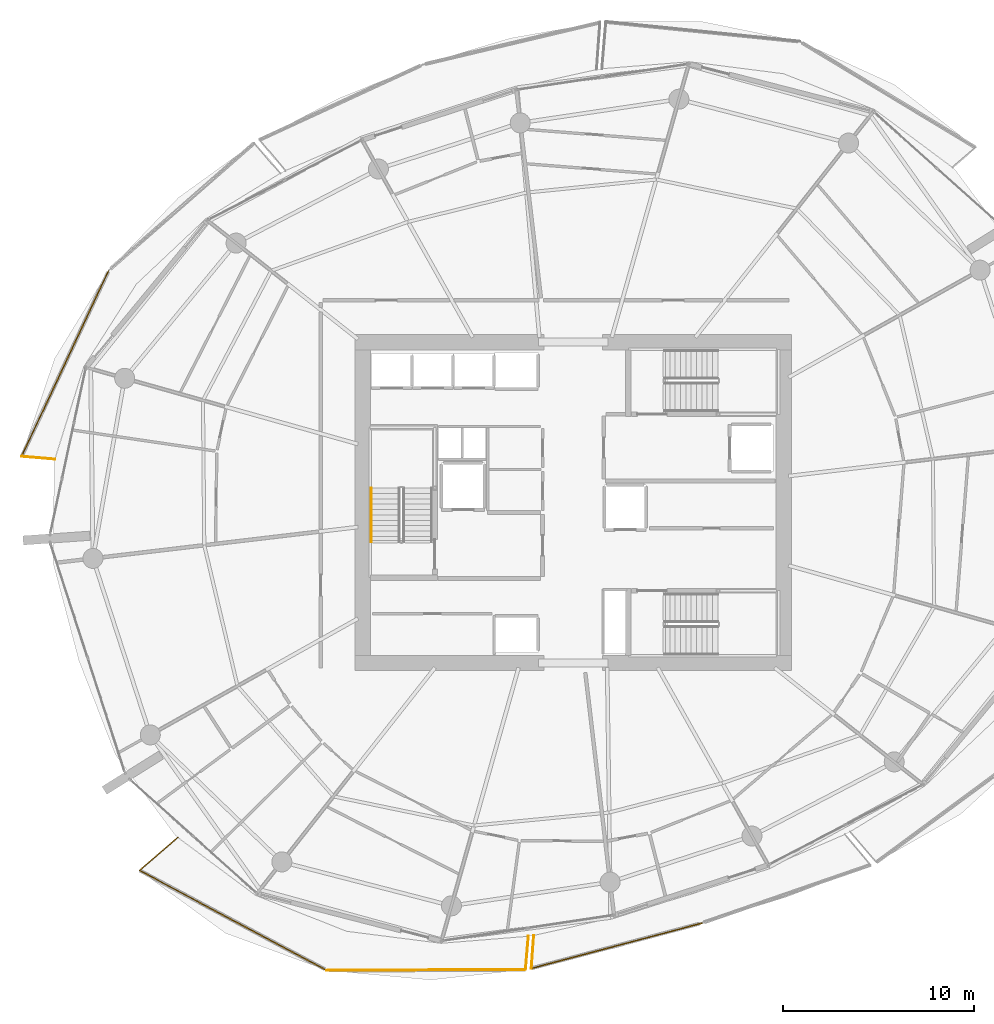
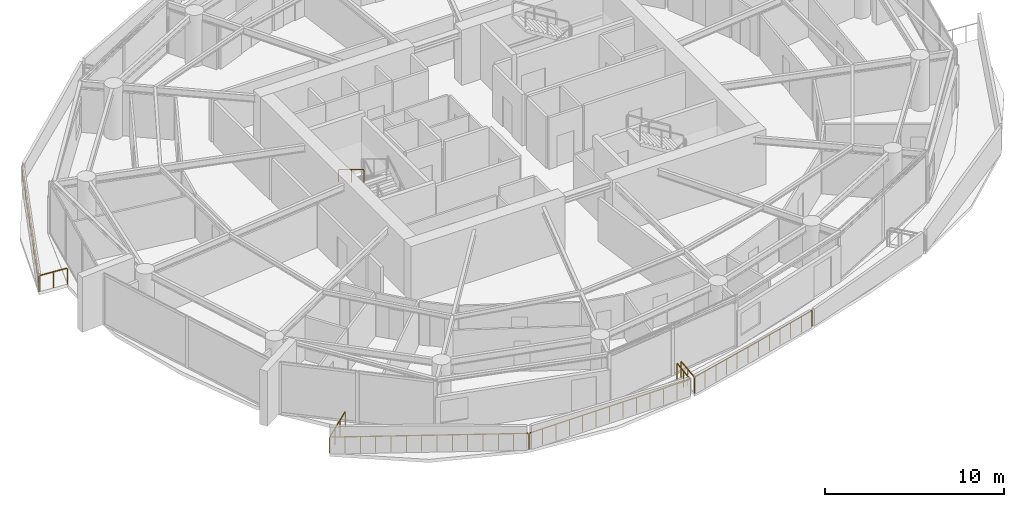
# One storey, part 16 of 20: 9 railings.
"""IFC4 building model written with IfcOpenShell, lengths in metres."""

from ifc_helpers import new_model, si_unit, direction, frame, origin, origin_2d, place, context, subcontext, project, spatial, rectangle, extrude, material, type_object, element, save


model = new_model("IFC4")

# Units and contexts
model_context = context("Model", 3, precision=1e-05, world=origin(), true_north=direction((0.0, 1.0)))
body_context = subcontext(model_context, "Body", "Model", "MODEL_VIEW")
ifc_project = project(units=[si_unit("LENGTHUNIT", "METRE"), si_unit("AREAUNIT", "SQUARE_METRE"), si_unit("VOLUMEUNIT", "CUBIC_METRE"), si_unit("PLANEANGLEUNIT", "RADIAN"), si_unit("MASSUNIT", "GRAM", prefix="KILO")], contexts=[model_context])

# Site, building, storey
site_placement = place(None, origin())
site = spatial("IfcSite", under=ifc_project, at=site_placement, CompositionType="ELEMENT")
building_placement = place(site_placement, origin())
building = spatial("IfcBuilding", under=site, at=building_placement, Name="Kazma Halo Residences", CompositionType="ELEMENT")
storey_placement = place(building_placement, frame((0.0, 0.0, 154.050048828125)))
storey = spatial("IfcBuildingStorey", under=building, at=storey_placement, Name="L38", CompositionType="ELEMENT", Elevation=154.050048828125)

# Railings
ifc_material_1 = material(Name="Aluminium AW-6063 T6 Brushed Cap Rail", Category="aluminium")
railing_type_1 = type_object("IfcRailingType", Name="RLG-BAL-CAP-1120", PredefinedType="BALUSTRADE", material=ifc_material_1)
railing_1_placement = place(storey_placement, frame((24.101318359375, 54.177001953125, 0.0)))
element("IfcRailing", 1, at=railing_1_placement, inside=storey, type_object=railing_type_1, Name="L38 NW wave balcony guard 3", PredefinedType="BALUSTRADE", context=body_context, shape_type="SweptSolid", body=[
    extrude(rectangle(XDim=0.050048828125, YDim=0.050048828125, at=origin_2d()), frame((-0.01806640625, -0.03857421875, 1.09521484375), z_axis=(-0.424200586033, -0.905568254086, 0.0), x_axis=(0.905568254086, -0.424200586033, 0.0)), (0.0, 0.0, 1.0), 10.694091796875),
    extrude(rectangle(XDim=0.0400390625, YDim=0.0400390625, at=origin_2d()), origin(), (0.0, 0.0, 1.0), 1.05810546875),
    extrude(rectangle(XDim=0.0400390625, YDim=0.0400390625, at=origin_2d()), frame((-0.381103515625, -0.8134765625, 0.0)), (0.0, 0.0, 1.0), 1.05810546875),
    extrude(rectangle(XDim=0.0400390625, YDim=0.0400390625, at=origin_2d()), frame((-0.76220703125, -1.626953125, 0.0)), (0.0, 0.0, 1.0), 1.05810546875),
    extrude(rectangle(XDim=0.0400390625, YDim=0.0400390625, at=origin_2d()), frame((-1.14306640625, -2.4404296875, 0.0)), (0.0, 0.0, 1.0), 1.05810546875),
    extrude(rectangle(XDim=0.0400390625, YDim=0.0400390625, at=origin_2d()), frame((-1.524169921875, -3.253662109375, 0.0)), (0.0, 0.0, 1.0), 1.05810546875),
    extrude(rectangle(XDim=0.0400390625, YDim=0.0400390625, at=origin_2d()), frame((-1.9052734375, -4.067138671875, 0.0)), (0.0, 0.0, 1.0), 1.05810546875),
    extrude(rectangle(XDim=0.0400390625, YDim=0.0400390625, at=origin_2d()), frame((-2.2861328125, -4.880615234375, 0.0)), (0.0, 0.0, 1.0), 1.05810546875),
    extrude(rectangle(XDim=0.0400390625, YDim=0.0400390625, at=origin_2d()), frame((-2.667236328125, -5.694091796875, 0.0)), (0.0, 0.0, 1.0), 1.05810546875),
    extrude(rectangle(XDim=0.0400390625, YDim=0.0400390625, at=origin_2d()), frame((-3.04833984375, -6.507568359375, 0.0)), (0.0, 0.0, 1.0), 1.05810546875),
    extrude(rectangle(XDim=0.0400390625, YDim=0.0400390625, at=origin_2d()), frame((-3.429443359375, -7.32080078125, 0.0)), (0.0, 0.0, 1.0), 1.05810546875),
    extrude(rectangle(XDim=0.0400390625, YDim=0.0400390625, at=origin_2d()), frame((-3.810546875, -8.13427734375, 0.0)), (0.0, 0.0, 1.0), 1.05810546875),
    extrude(rectangle(XDim=0.0400390625, YDim=0.0400390625, at=origin_2d()), frame((-4.19140625, -8.94775390625, 0.0)), (0.0, 0.0, 1.0), 1.05810546875),
    extrude(rectangle(XDim=0.0400390625, YDim=0.0400390625, at=origin_2d()), frame((-4.572509765625, -9.76123046875, 0.0)), (0.0, 0.0, 1.0), 1.05810546875),
])
railing_2_placement = place(storey_placement, frame((19.52880859375, 44.415771484375, 0.0)))
element("IfcRailing", 2, at=railing_2_placement, inside=storey, type_object=railing_type_1, Name="L38 NW wave balcony guard 4", PredefinedType="BALUSTRADE", context=body_context, shape_type="SweptSolid", body=[
    extrude(rectangle(XDim=0.050048828125, YDim=0.050048828125, at=origin_2d()), frame((0.04248046875, -0.003662109375, 1.09521484375), z_axis=(0.996419115679, -0.084551439431, 0.0), x_axis=(0.084551439431, 0.996419115679, 0.0)), (0.0, 0.0, 1.0), 1.658935546875),
    extrude(rectangle(XDim=0.0400390625, YDim=0.0400390625, at=origin_2d()), origin(), (0.0, 0.0, 1.0), 1.05810546875),
    extrude(rectangle(XDim=0.0400390625, YDim=0.0400390625, at=origin_2d()), frame((0.868896484375, -0.07373046875, 0.0)), (0.0, 0.0, 1.0), 1.05810546875),
    extrude(rectangle(XDim=0.0400390625, YDim=0.0400390625, at=origin_2d()), frame((1.73779296875, -0.1474609375, 0.0)), (0.0, 0.0, 1.0), 1.05810546875),
])
railing_3_placement = place(storey_placement, frame((27.705322265625, 24.451416015625, 0.0)))
element("IfcRailing", 3, at=railing_3_placement, inside=storey, type_object=railing_type_1, Name="L38 SW wave balcony guard 1", PredefinedType="BALUSTRADE", context=body_context, shape_type="SweptSolid", body=[
    extrude(rectangle(XDim=0.050048828125, YDim=0.050048828125, at=origin_2d()), frame((-0.0322265625, -0.02783203125, 1.09521484375), z_axis=(-0.756387923345, -0.654123313618, 0.0), x_axis=(0.654123313618, -0.756387923345, 0.0)), (0.0, 0.0, 1.0), 2.552978515625),
    extrude(rectangle(XDim=0.0400390625, YDim=0.0400390625, at=origin_2d()), origin(), (0.0, 0.0, 1.0), 1.05810546875),
    extrude(rectangle(XDim=0.0400390625, YDim=0.0400390625, at=origin_2d()), frame((-0.6650390625, -0.5751953125, 0.0)), (0.0, 0.0, 1.0), 1.05810546875),
    extrude(rectangle(XDim=0.0400390625, YDim=0.0400390625, at=origin_2d()), frame((-1.330322265625, -1.150390625, 0.0)), (0.0, 0.0, 1.0), 1.05810546875),
    extrude(rectangle(XDim=0.0400390625, YDim=0.0400390625, at=origin_2d()), frame((-1.995361328125, -1.7255859375, 0.0)), (0.0, 0.0, 1.0), 1.05810546875),
])
railing_4_placement = place(storey_placement, frame((25.7099609375, 22.725830078125, 0.0)))
element("IfcRailing", 4, at=railing_4_placement, inside=storey, type_object=railing_type_1, Name="L38 SW wave balcony guard 2", PredefinedType="BALUSTRADE", context=body_context, shape_type="SweptSolid", body=[
    extrude(rectangle(XDim=0.050048828125, YDim=0.050048828125, at=origin_2d()), frame((0.03759765625, -0.02001953125, 1.09521484375), z_axis=(0.882331654064, -0.470628146457, 0.0), x_axis=(0.470628146457, 0.882331654064, 0.0)), (0.0, 0.0, 1.0), 11.027099609375),
    extrude(rectangle(XDim=0.0400390625, YDim=0.0400390625, at=origin_2d()), origin(), (0.0, 0.0, 1.0), 1.05810546875),
    extrude(rectangle(XDim=0.0400390625, YDim=0.0400390625, at=origin_2d()), frame((0.754150390625, -0.40234375, 0.0)), (0.0, 0.0, 1.0), 1.05810546875),
    extrude(rectangle(XDim=0.0400390625, YDim=0.0400390625, at=origin_2d()), frame((1.50830078125, -0.8046875, 0.0)), (0.0, 0.0, 1.0), 1.05810546875),
    extrude(rectangle(XDim=0.0400390625, YDim=0.0400390625, at=origin_2d()), frame((2.2626953125, -1.206787109375, 0.0)), (0.0, 0.0, 1.0), 1.05810546875),
    extrude(rectangle(XDim=0.0400390625, YDim=0.0400390625, at=origin_2d()), frame((3.016845703125, -1.609130859375, 0.0)), (0.0, 0.0, 1.0), 1.05810546875),
    extrude(rectangle(XDim=0.0400390625, YDim=0.0400390625, at=origin_2d()), frame((3.77099609375, -2.011474609375, 0.0)), (0.0, 0.0, 1.0), 1.05810546875),
    extrude(rectangle(XDim=0.0400390625, YDim=0.0400390625, at=origin_2d()), frame((4.525146484375, -2.413818359375, 0.0)), (0.0, 0.0, 1.0), 1.05810546875),
    extrude(rectangle(XDim=0.0400390625, YDim=0.0400390625, at=origin_2d()), frame((5.279541015625, -2.81591796875, 0.0)), (0.0, 0.0, 1.0), 1.05810546875),
    extrude(rectangle(XDim=0.0400390625, YDim=0.0400390625, at=origin_2d()), frame((6.03369140625, -3.21826171875, 0.0)), (0.0, 0.0, 1.0), 1.05810546875),
    extrude(rectangle(XDim=0.0400390625, YDim=0.0400390625, at=origin_2d()), frame((6.787841796875, -3.62060546875, 0.0)), (0.0, 0.0, 1.0), 1.05810546875),
    extrude(rectangle(XDim=0.0400390625, YDim=0.0400390625, at=origin_2d()), frame((7.5419921875, -4.02294921875, 0.0)), (0.0, 0.0, 1.0), 1.05810546875),
    extrude(rectangle(XDim=0.0400390625, YDim=0.0400390625, at=origin_2d()), frame((8.29638671875, -4.425048828125, 0.0)), (0.0, 0.0, 1.0), 1.05810546875),
    extrude(rectangle(XDim=0.0400390625, YDim=0.0400390625, at=origin_2d()), frame((9.050537109375, -4.827392578125, 0.0)), (0.0, 0.0, 1.0), 1.05810546875),
    extrude(rectangle(XDim=0.0400390625, YDim=0.0400390625, at=origin_2d()), frame((9.8046875, -5.229736328125, 0.0)), (0.0, 0.0, 1.0), 1.05810546875),
])
railing_5_placement = place(storey_placement, frame((35.5146484375, 17.49609375, 0.0)))
element("IfcRailing", 5, at=railing_5_placement, inside=storey, type_object=railing_type_1, Name="L38 SW wave balcony guard 3", PredefinedType="BALUSTRADE", context=body_context, shape_type="SweptSolid", body=[
    extrude(rectangle(XDim=0.050048828125, YDim=0.050048828125, at=origin_2d()), frame((0.04248046875, 0.000244140625, 1.09521484375), z_axis=(0.999991958014, 0.004010474807, 0.0), x_axis=(-0.004010474807, 0.999991958014, 0.0)), (0.0, 0.0, 1.0), 10.32470703125),
    extrude(rectangle(XDim=0.0400390625, YDim=0.0400390625, at=origin_2d()), origin(), (0.0, 0.0, 1.0), 1.05810546875),
    extrude(rectangle(XDim=0.0400390625, YDim=0.0400390625, at=origin_2d()), frame((0.867431640625, 0.00341796875, 0.0)), (0.0, 0.0, 1.0), 1.05810546875),
    extrude(rectangle(XDim=0.0400390625, YDim=0.0400390625, at=origin_2d()), frame((1.73486328125, 0.0068359375, 0.0)), (0.0, 0.0, 1.0), 1.05810546875),
    extrude(rectangle(XDim=0.0400390625, YDim=0.0400390625, at=origin_2d()), frame((2.6025390625, 0.010498046875, 0.0)), (0.0, 0.0, 1.0), 1.05810546875),
    extrude(rectangle(XDim=0.0400390625, YDim=0.0400390625, at=origin_2d()), frame((3.469970703125, 0.013916015625, 0.0)), (0.0, 0.0, 1.0), 1.05810546875),
    extrude(rectangle(XDim=0.0400390625, YDim=0.0400390625, at=origin_2d()), frame((4.33740234375, 0.017333984375, 0.0)), (0.0, 0.0, 1.0), 1.05810546875),
    extrude(rectangle(XDim=0.0400390625, YDim=0.0400390625, at=origin_2d()), frame((5.204833984375, 0.02099609375, 0.0)), (0.0, 0.0, 1.0), 1.05810546875),
    extrude(rectangle(XDim=0.0400390625, YDim=0.0400390625, at=origin_2d()), frame((6.072265625, 0.0244140625, 0.0)), (0.0, 0.0, 1.0), 1.05810546875),
    extrude(rectangle(XDim=0.0400390625, YDim=0.0400390625, at=origin_2d()), frame((6.939697265625, 0.02783203125, 0.0)), (0.0, 0.0, 1.0), 1.05810546875),
    extrude(rectangle(XDim=0.0400390625, YDim=0.0400390625, at=origin_2d()), frame((7.80712890625, 0.03125, 0.0)), (0.0, 0.0, 1.0), 1.05810546875),
    extrude(rectangle(XDim=0.0400390625, YDim=0.0400390625, at=origin_2d()), frame((8.6748046875, 0.03466796875, 0.0)), (0.0, 0.0, 1.0), 1.05810546875),
    extrude(rectangle(XDim=0.0400390625, YDim=0.0400390625, at=origin_2d()), frame((9.542236328125, 0.038330078125, 0.0)), (0.0, 0.0, 1.0), 1.05810546875),
    extrude(rectangle(XDim=0.0400390625, YDim=0.0400390625, at=origin_2d()), frame((10.40966796875, 0.041748046875, 0.0)), (0.0, 0.0, 1.0), 1.05810546875),
])
railing_6_placement = place(storey_placement, frame((45.92431640625, 17.537841796875, 0.0)))
element("IfcRailing", 6, at=railing_6_placement, inside=storey, type_object=railing_type_1, Name="L38 SW wave balcony guard 4", PredefinedType="BALUSTRADE", context=body_context, shape_type="SweptSolid", body=[
    extrude(rectangle(XDim=0.050048828125, YDim=0.050048828125, at=origin_2d()), frame((0.003662109375, 0.04248046875, 1.09521484375), z_axis=(0.084501837771, 0.996423323399, 0.0), x_axis=(-0.996423323399, 0.084501837771, 0.0)), (0.0, 0.0, 1.0), 1.662841796875),
    extrude(rectangle(XDim=0.0400390625, YDim=0.0400390625, at=origin_2d()), origin(), (0.0, 0.0, 1.0), 1.05810546875),
    extrude(rectangle(XDim=0.0400390625, YDim=0.0400390625, at=origin_2d()), frame((0.07373046875, 0.870849609375, 0.0)), (0.0, 0.0, 1.0), 1.05810546875),
    extrude(rectangle(XDim=0.0400390625, YDim=0.0400390625, at=origin_2d()), frame((0.147705078125, 1.74169921875, 0.0)), (0.0, 0.0, 1.0), 1.05810546875),
])
railing_7_placement = place(storey_placement, frame((46.3544921875, 19.32177734375, 0.0)))
element("IfcRailing", 7, at=railing_7_placement, inside=storey, type_object=railing_type_1, Name="L38 SSE wave balcony guard 1", PredefinedType="BALUSTRADE", context=body_context, shape_type="SweptSolid", body=[
    extrude(rectangle(XDim=0.050048828125, YDim=0.050048828125, at=origin_2d()), frame((-0.003173828125, -0.04248046875, 1.09521484375), z_axis=(-0.072390221582, -0.997376386235, 0.0), x_axis=(0.997376386235, -0.072390221582, 0.0)), (0.0, 0.0, 1.0), 1.64501953125),
    extrude(rectangle(XDim=0.0400390625, YDim=0.0400390625, at=origin_2d()), origin(), (0.0, 0.0, 1.0), 1.05810546875),
    extrude(rectangle(XDim=0.0400390625, YDim=0.0400390625, at=origin_2d()), frame((-0.0625, -0.86279296875, 0.0)), (0.0, 0.0, 1.0), 1.05810546875),
    extrude(rectangle(XDim=0.0400390625, YDim=0.0400390625, at=origin_2d()), frame((-0.125244140625, -1.7255859375, 0.0)), (0.0, 0.0, 1.0), 1.05810546875),
])
railing_8_placement = place(storey_placement, frame((46.229248046875, 17.59619140625, 0.0)))
element("IfcRailing", 8, at=railing_8_placement, inside=storey, type_object=railing_type_1, Name="L38 SSE wave balcony guard 2", PredefinedType="BALUSTRADE", context=body_context, shape_type="SweptSolid", body=[
    extrude(rectangle(XDim=0.050048828125, YDim=0.050048828125, at=origin_2d()), frame((0.041015625, 0.010986328125, 1.09521484375), z_axis=(0.966521178341, 0.25658685044, 0.0), x_axis=(-0.25658685044, 0.966521178341, 0.0)), (0.0, 0.0, 1.0), 9.15380859375),
    extrude(rectangle(XDim=0.0400390625, YDim=0.0400390625, at=origin_2d()), origin(), (0.0, 0.0, 1.0), 1.05810546875),
    extrude(rectangle(XDim=0.0400390625, YDim=0.0400390625, at=origin_2d()), frame((0.811767578125, 0.215576171875, 0.0)), (0.0, 0.0, 1.0), 1.05810546875),
    extrude(rectangle(XDim=0.0400390625, YDim=0.0400390625, at=origin_2d()), frame((1.62353515625, 0.430908203125, 0.0)), (0.0, 0.0, 1.0), 1.05810546875),
    extrude(rectangle(XDim=0.0400390625, YDim=0.0400390625, at=origin_2d()), frame((2.435302734375, 0.646484375, 0.0)), (0.0, 0.0, 1.0), 1.05810546875),
    extrude(rectangle(XDim=0.0400390625, YDim=0.0400390625, at=origin_2d()), frame((3.2470703125, 0.862060546875, 0.0)), (0.0, 0.0, 1.0), 1.05810546875),
    extrude(rectangle(XDim=0.0400390625, YDim=0.0400390625, at=origin_2d()), frame((4.058837890625, 1.07763671875, 0.0)), (0.0, 0.0, 1.0), 1.05810546875),
    extrude(rectangle(XDim=0.0400390625, YDim=0.0400390625, at=origin_2d()), frame((4.870849609375, 1.29296875, 0.0)), (0.0, 0.0, 1.0), 1.05810546875),
    extrude(rectangle(XDim=0.0400390625, YDim=0.0400390625, at=origin_2d()), frame((5.6826171875, 1.508544921875, 0.0)), (0.0, 0.0, 1.0), 1.05810546875),
    extrude(rectangle(XDim=0.0400390625, YDim=0.0400390625, at=origin_2d()), frame((6.494384765625, 1.72412109375, 0.0)), (0.0, 0.0, 1.0), 1.05810546875),
    extrude(rectangle(XDim=0.0400390625, YDim=0.0400390625, at=origin_2d()), frame((7.30615234375, 1.939697265625, 0.0)), (0.0, 0.0, 1.0), 1.05810546875),
    extrude(rectangle(XDim=0.0400390625, YDim=0.0400390625, at=origin_2d()), frame((8.117919921875, 2.155029296875, 0.0)), (0.0, 0.0, 1.0), 1.05810546875),
    extrude(rectangle(XDim=0.0400390625, YDim=0.0400390625, at=origin_2d()), frame((8.9296875, 2.37060546875, 0.0)), (0.0, 0.0, 1.0), 1.05810546875),
])
ifc_material_2 = material(Name="Brushed Stainless Steel", Category="steel")
railing_type_2 = type_object("IfcRailingType", Name="RLG-STAIR-HND-900", PredefinedType="HANDRAIL", material=ifc_material_2)
railing_9_placement = place(storey_placement, frame((37.85009765625, 42.75, 2.04541015625)))
element("IfcRailing", 9, at=railing_9_placement, inside=storey, type_object=railing_type_2, Name="L38 ST-01 stair handrail 2", PredefinedType="HANDRAIL", context=body_context, shape_type="SweptSolid", body=[
    extrude(rectangle(XDim=0.050048828125, YDim=0.050048828125, at=origin_2d()), frame((0.0, -0.036376953125, 0.89697265625), z_axis=(0.0, -0.854169791009, 0.51999420009), x_axis=(1.0, 0.0, 0.0)), (0.0, 0.0, 1.0), 3.193115234375),
    extrude(rectangle(XDim=0.0400390625, YDim=0.0400390625, at=origin_2d()), origin(), (0.0, 0.0, 1.0), 0.837890625),
    extrude(rectangle(XDim=0.0400390625, YDim=0.0400390625, at=origin_2d()), frame((0.0, -1.39990234375, 0.852294921875)), (0.0, 0.0, 1.0), 0.837890625),
    extrude(rectangle(XDim=0.0400390625, YDim=0.0400390625, at=origin_2d()), frame((0.0, -2.800048828125, 1.70458984375)), (0.0, 0.0, 1.0), 0.837890625),
])

save(model, "model.ifc")
